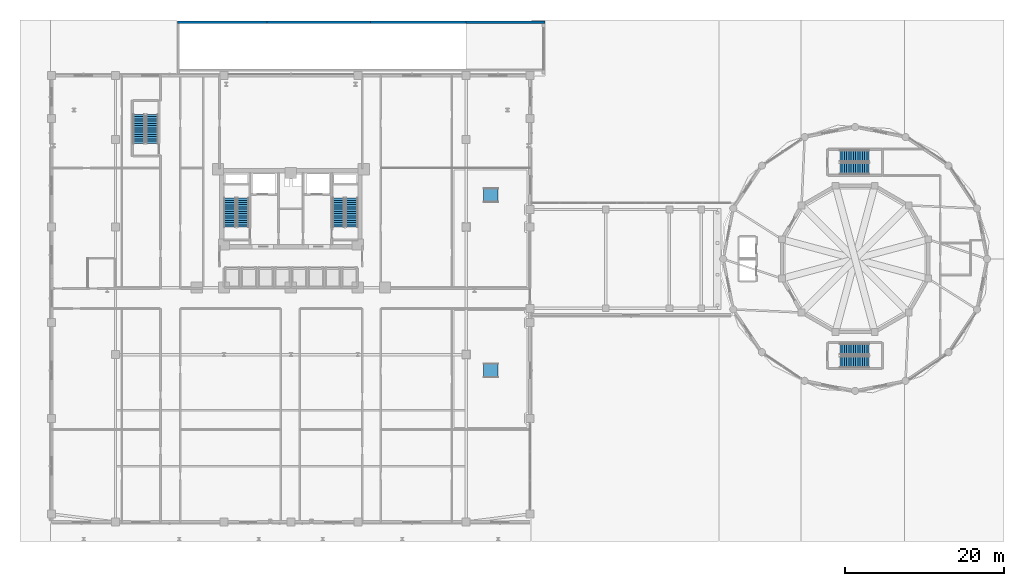
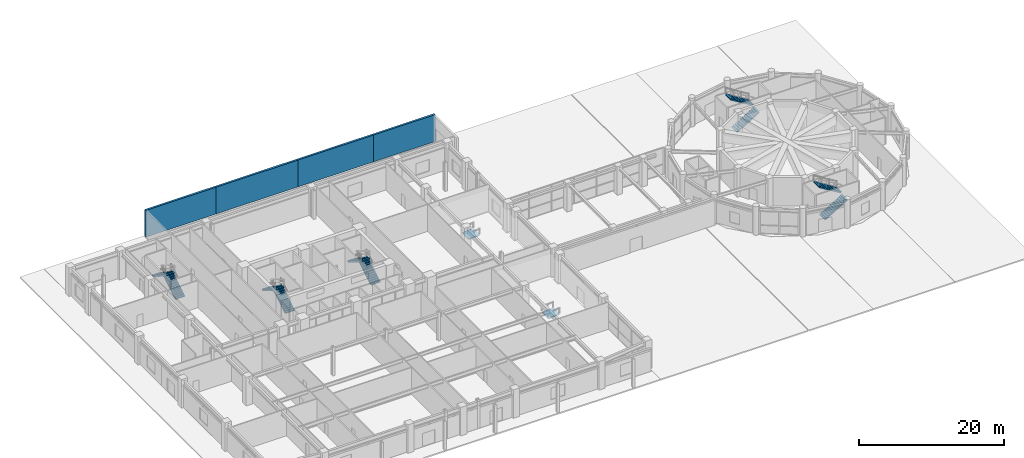
# One storey, part 29 of 40: 10 stair flights, 4 walls, 2 ramp flights, 7 elements without a shape of their own.
"""IFC4 building model written with IfcOpenShell, lengths in metres."""

from ifc_helpers import new_model, si_unit, derived_unit, direction, frame, frame_2d, origin, place, context, subcontext, project, spatial, polyline, rectangle, outline, extrude, material, layer, layer_set, type_object, element, aggregate, save


model = new_model("IFC4")

# Units and contexts
model_context = context("Model", 3, precision=1e-05, world=origin(), true_north=direction((0.0, 1.0)))
body_context = subcontext(model_context, "Body", "Model", "MODEL_VIEW")
ifc_project = project(units=[si_unit("LENGTHUNIT", "METRE"), si_unit("AREAUNIT", "SQUARE_METRE"), si_unit("VOLUMEUNIT", "CUBIC_METRE"), si_unit("PLANEANGLEUNIT", "RADIAN"), si_unit("MASSUNIT", "GRAM", prefix="KILO"), derived_unit("THERMALTRANSMITTANCEUNIT", [(si_unit("POWERUNIT", "WATT"), 1), (si_unit("LENGTHUNIT", "METRE"), -2), (si_unit("THERMODYNAMICTEMPERATUREUNIT", "KELVIN"), -1)])], contexts=[model_context])

# Site, building, storey
site_placement = place(None, origin())
site = spatial("IfcSite", under=ifc_project, at=site_placement, CompositionType="ELEMENT")
building_placement = place(site_placement, origin())
building = spatial("IfcBuilding", under=site, at=building_placement, Name="Korsvarv Bourse and Concert Hall", CompositionType="ELEMENT")
storey_placement = place(building_placement, origin())
storey = spatial("IfcBuildingStorey", under=building, at=storey_placement, Name="L00", CompositionType="ELEMENT", Elevation=0.0)

# Walls
ifc_material_1 = material(Name="Precast concrete C45/55 with granite and terracotta", Category="concrete")
ifc_layer = layer(ifc_material_1, 0.320068359375)
ifc_layer_set = layer_set([ifc_layer], Name="Precast concrete C45/55 with granite and terracotta")
wall_type = type_object("IfcWallType", Name="WL-EXT-POD", PredefinedType="SOLIDWALL", material=ifc_layer_set)
wall_1_placement = place(storey_placement, frame((21.800048828125, 65.699951171875, 0.0), z_axis=(0.0, 0.0, 1.0), x_axis=(1.0, 0.0, 0.0)))
element("IfcWall", 1, at=wall_1_placement, inside=storey, type_object=wall_type, Name="L00 terracotta exterior wall EW-L00-RMPN1", PredefinedType="SOLIDWALL", context=body_context, shape_type="SweptSolid", body=[
    extrude(rectangle(XDim=11.199951171875, YDim=0.320068359375, at=frame_2d((5.60009765625, 0.0))), origin(), (0.0, 0.0, 1.0), 4.52001953125),
])
wall_2_placement = place(storey_placement, frame((33.0, 65.699951171875, 0.0), z_axis=(0.0, 0.0, 1.0), x_axis=(1.0, 0.0, 0.0)))
element("IfcWall", 2, at=wall_2_placement, inside=storey, type_object=wall_type, Name="L00 terracotta exterior wall EW-L00-RMPN2", PredefinedType="SOLIDWALL", context=body_context, shape_type="SweptSolid", body=[
    extrude(rectangle(XDim=13.0, YDim=0.320068359375, at=frame_2d((6.5, 0.0))), origin(), (0.0, 0.0, 1.0), 4.52001953125),
])
wall_3_placement = place(storey_placement, frame((46.0, 65.699951171875, 0.0), z_axis=(0.0, 0.0, 1.0), x_axis=(1.0, 0.0, 0.0)))
element("IfcWall", 3, at=wall_3_placement, inside=storey, type_object=wall_type, Name="L00 terracotta exterior wall EW-L00-RMPN3", PredefinedType="SOLIDWALL", context=body_context, shape_type="SweptSolid", body=[
    extrude(rectangle(XDim=12.0, YDim=0.320068359375, at=frame_2d((6.0, 0.0))), origin(), (0.0, 0.0, 1.0), 4.52001953125),
])
wall_4_placement = place(storey_placement, frame((58.0, 65.699951171875, 0.0), z_axis=(0.0, 0.0, 1.0), x_axis=(1.0, 0.0, 0.0)))
element("IfcWall", 4, at=wall_4_placement, inside=storey, type_object=wall_type, Name="L00 terracotta exterior wall EW-L00-RMPN4", PredefinedType="SOLIDWALL", context=body_context, shape_type="SweptSolid", body=[
    extrude(rectangle(XDim=9.860107421875, YDim=0.320068359375, at=frame_2d((4.93017578125, 0.0))), origin(), (0.0, 0.0, 1.0), 4.52001953125),
])

# Stair, stair flights
ifc_material_2 = material(Name="Precast concrete C45/55", Category="concrete")
stair_type_1 = type_object("IfcStairType", Name="STR-TYPE-02", PredefinedType="HALF_TURN_STAIR", material=ifc_material_2)
stair_1_placement = place(storey_placement, origin())
stair_1 = element("IfcStair", 5, at=stair_1_placement, inside=storey, type_object=stair_type_1, Name="L00 Tower West Exit Stair ST-T1", PredefinedType="HALF_TURN_STAIR")
stair_flight_type_1 = type_object("IfcStairFlightType", Name="FLT-TYPE-02", PredefinedType="STRAIGHT", material=ifc_material_2)
stair_flight_1_placement = place(storey_placement, frame((30.010009765625, 40.0, 0.0), z_axis=(0.0, 0.0, 1.0), x_axis=(0.0, 1.0, 0.0)))
stair_flight_1 = element("IfcStairFlight", 6, at=stair_flight_1_placement, type_object=stair_flight_type_1, Name="ST-T1 flight 1", NumberOfRisers=14, NumberOfTreads=13, PredefinedType="STRAIGHT", RiserHeight=0.171428571, TreadLength=0.28, context=body_context, shape_type="SweptSolid", body=[
    extrude(outline(polyline([(0.0, 0.0), (0.0, 0.17138671875), (0.280029296875, 0.17138671875), (0.280029296875, 0.3427734375), (0.56005859375, 0.3427734375), (0.56005859375, 0.514404296875), (0.840087890625, 0.514404296875), (0.840087890625, 0.685791015625), (1.1201171875, 0.685791015625), (1.1201171875, 0.857177734375), (1.39990234375, 0.857177734375), (1.39990234375, 1.028564453125), (1.679931640625, 1.028564453125), (1.679931640625, 1.199951171875), (1.9599609375, 1.199951171875), (1.9599609375, 1.371337890625), (2.239990234375, 1.371337890625), (2.239990234375, 1.54296875), (2.52001953125, 1.54296875), (2.52001953125, 1.71435546875), (2.800048828125, 1.71435546875), (2.800048828125, 1.8857421875), (3.080078125, 1.8857421875), (3.080078125, 2.05712890625), (3.360107421875, 2.05712890625), (3.360107421875, 2.228515625), (3.639892578125, 2.228515625), (3.639892578125, 2.39990234375), (3.639892578125, 2.052734375), (0.287109375, 0.0), (0.0, 0.0)])), frame((0.0, 0.75, 0.0), z_axis=(0.0, -1.0, 0.0), x_axis=(1.0, 0.0, 0.0)), (0.0, 0.0, 1.0), 1.5),
])
stair_flight_2_placement = place(storey_placement, frame((28.35009765625, 43.639892578125, 2.39990234375), z_axis=(0.0, 0.0, 1.0), x_axis=(0.0, -1.0, 0.0)))
stair_flight_2 = element("IfcStairFlight", 7, at=stair_flight_2_placement, type_object=stair_flight_type_1, Name="ST-T1 flight 2", NumberOfRisers=14, NumberOfTreads=13, PredefinedType="STRAIGHT", RiserHeight=0.171428571, TreadLength=0.28, context=body_context, shape_type="SweptSolid", body=[
    extrude(outline(polyline([(0.0, 0.0), (0.0, 0.17138671875), (0.280029296875, 0.17138671875), (0.280029296875, 0.3427734375), (0.56005859375, 0.3427734375), (0.56005859375, 0.514404296875), (0.840087890625, 0.514404296875), (0.840087890625, 0.685791015625), (1.1201171875, 0.685791015625), (1.1201171875, 0.857177734375), (1.39990234375, 0.857177734375), (1.39990234375, 1.028564453125), (1.679931640625, 1.028564453125), (1.679931640625, 1.199951171875), (1.9599609375, 1.199951171875), (1.9599609375, 1.371337890625), (2.239990234375, 1.371337890625), (2.239990234375, 1.54296875), (2.52001953125, 1.54296875), (2.52001953125, 1.71435546875), (2.800048828125, 1.71435546875), (2.800048828125, 1.8857421875), (3.080078125, 1.8857421875), (3.080078125, 2.05712890625), (3.360107421875, 2.05712890625), (3.360107421875, 2.228515625), (3.639892578125, 2.228515625), (3.639892578125, 2.39990234375), (3.639892578125, 2.052734375), (0.287109375, 0.0), (0.0, 0.0)])), frame((0.0, 0.75, 0.0), z_axis=(0.0, -1.0, 0.0), x_axis=(1.0, 0.0, 0.0)), (0.0, 0.0, 1.0), 1.5),
])
aggregate(stair_1, [stair_flight_1, stair_flight_2])

stair_2_placement = place(storey_placement, origin())
stair_2 = element("IfcStair", 8, at=stair_2_placement, inside=storey, type_object=stair_type_1, Name="L00 Tower East Exit Stair ST-T2", PredefinedType="HALF_TURN_STAIR")
stair_flight_3_placement = place(storey_placement, frame((43.64990234375, 40.0, 0.0), z_axis=(0.0, 0.0, 1.0), x_axis=(0.0, 1.0, 0.0)))
stair_flight_3 = element("IfcStairFlight", 9, at=stair_flight_3_placement, type_object=stair_flight_type_1, Name="ST-T2 flight 1", NumberOfRisers=14, NumberOfTreads=13, PredefinedType="STRAIGHT", RiserHeight=0.171428571, TreadLength=0.28, context=body_context, shape_type="SweptSolid", body=[
    extrude(outline(polyline([(0.0, 0.0), (0.0, 0.17138671875), (0.280029296875, 0.17138671875), (0.280029296875, 0.3427734375), (0.56005859375, 0.3427734375), (0.56005859375, 0.514404296875), (0.840087890625, 0.514404296875), (0.840087890625, 0.685791015625), (1.1201171875, 0.685791015625), (1.1201171875, 0.857177734375), (1.39990234375, 0.857177734375), (1.39990234375, 1.028564453125), (1.679931640625, 1.028564453125), (1.679931640625, 1.199951171875), (1.9599609375, 1.199951171875), (1.9599609375, 1.371337890625), (2.239990234375, 1.371337890625), (2.239990234375, 1.54296875), (2.52001953125, 1.54296875), (2.52001953125, 1.71435546875), (2.800048828125, 1.71435546875), (2.800048828125, 1.8857421875), (3.080078125, 1.8857421875), (3.080078125, 2.05712890625), (3.360107421875, 2.05712890625), (3.360107421875, 2.228515625), (3.639892578125, 2.228515625), (3.639892578125, 2.39990234375), (3.639892578125, 2.052734375), (0.287109375, 0.0), (0.0, 0.0)])), frame((0.0, 0.75, 0.0), z_axis=(0.0, -1.0, 0.0), x_axis=(1.0, 0.0, 0.0)), (0.0, 0.0, 1.0), 1.5),
])
stair_flight_4_placement = place(storey_placement, frame((41.989990234375, 43.639892578125, 2.39990234375), z_axis=(0.0, 0.0, 1.0), x_axis=(0.0, -1.0, 0.0)))
stair_flight_4 = element("IfcStairFlight", 10, at=stair_flight_4_placement, type_object=stair_flight_type_1, Name="ST-T2 flight 2", NumberOfRisers=14, NumberOfTreads=13, PredefinedType="STRAIGHT", RiserHeight=0.171428571, TreadLength=0.28, context=body_context, shape_type="SweptSolid", body=[
    extrude(outline(polyline([(0.0, 0.0), (0.0, 0.17138671875), (0.280029296875, 0.17138671875), (0.280029296875, 0.3427734375), (0.56005859375, 0.3427734375), (0.56005859375, 0.514404296875), (0.840087890625, 0.514404296875), (0.840087890625, 0.685791015625), (1.1201171875, 0.685791015625), (1.1201171875, 0.857177734375), (1.39990234375, 0.857177734375), (1.39990234375, 1.028564453125), (1.679931640625, 1.028564453125), (1.679931640625, 1.199951171875), (1.9599609375, 1.199951171875), (1.9599609375, 1.371337890625), (2.239990234375, 1.371337890625), (2.239990234375, 1.54296875), (2.52001953125, 1.54296875), (2.52001953125, 1.71435546875), (2.800048828125, 1.71435546875), (2.800048828125, 1.8857421875), (3.080078125, 1.8857421875), (3.080078125, 2.05712890625), (3.360107421875, 2.05712890625), (3.360107421875, 2.228515625), (3.639892578125, 2.228515625), (3.639892578125, 2.39990234375), (3.639892578125, 2.052734375), (0.287109375, 0.0), (0.0, 0.0)])), frame((0.0, 0.75, 0.0), z_axis=(0.0, -1.0, 0.0), x_axis=(1.0, 0.0, 0.0)), (0.0, 0.0, 1.0), 1.5),
])
aggregate(stair_2, [stair_flight_3, stair_flight_4])

stair_3_placement = place(storey_placement, origin())
stair_3 = element("IfcStair", 11, at=stair_3_placement, inside=storey, type_object=stair_type_1, Name="L00 Exchange Podium Grand Stair ST-PD1", PredefinedType="HALF_TURN_STAIR")
stair_flight_5_placement = place(storey_placement, frame((18.610107421875, 50.5, 0.0), z_axis=(0.0, 0.0, 1.0), x_axis=(0.0, 1.0, 0.0)))
stair_flight_5 = element("IfcStairFlight", 12, at=stair_flight_5_placement, type_object=stair_flight_type_1, Name="ST-PD1 flight 1", NumberOfRisers=14, NumberOfTreads=13, PredefinedType="STRAIGHT", RiserHeight=0.171428571, TreadLength=0.28, context=body_context, shape_type="SweptSolid", body=[
    extrude(outline(polyline([(0.0, 0.0), (0.0, 0.17138671875), (0.280029296875, 0.17138671875), (0.280029296875, 0.3427734375), (0.56005859375, 0.3427734375), (0.56005859375, 0.514404296875), (0.840087890625, 0.514404296875), (0.840087890625, 0.685791015625), (1.1201171875, 0.685791015625), (1.1201171875, 0.857177734375), (1.39990234375, 0.857177734375), (1.39990234375, 1.028564453125), (1.679931640625, 1.028564453125), (1.679931640625, 1.199951171875), (1.9599609375, 1.199951171875), (1.9599609375, 1.371337890625), (2.239990234375, 1.371337890625), (2.239990234375, 1.54296875), (2.52001953125, 1.54296875), (2.52001953125, 1.71435546875), (2.800048828125, 1.71435546875), (2.800048828125, 1.8857421875), (3.080078125, 1.8857421875), (3.080078125, 2.05712890625), (3.360107421875, 2.05712890625), (3.360107421875, 2.228515625), (3.639892578125, 2.228515625), (3.639892578125, 2.39990234375), (3.639892578125, 2.052734375), (0.287109375, 0.0), (0.0, 0.0)])), frame((0.0, 0.75, 0.0), z_axis=(0.0, -1.0, 0.0), x_axis=(1.0, 0.0, 0.0)), (0.0, 0.0, 1.0), 1.5),
])
stair_flight_6_placement = place(storey_placement, frame((16.949951171875, 54.139892578125, 2.39990234375), z_axis=(0.0, 0.0, 1.0), x_axis=(0.0, -1.0, 0.0)))
stair_flight_6 = element("IfcStairFlight", 13, at=stair_flight_6_placement, type_object=stair_flight_type_1, Name="ST-PD1 flight 2", NumberOfRisers=14, NumberOfTreads=13, PredefinedType="STRAIGHT", RiserHeight=0.171428571, TreadLength=0.28, context=body_context, shape_type="SweptSolid", body=[
    extrude(outline(polyline([(0.0, 0.0), (0.0, 0.17138671875), (0.280029296875, 0.17138671875), (0.280029296875, 0.3427734375), (0.56005859375, 0.3427734375), (0.56005859375, 0.514404296875), (0.840087890625, 0.514404296875), (0.840087890625, 0.685791015625), (1.1201171875, 0.685791015625), (1.1201171875, 0.857177734375), (1.39990234375, 0.857177734375), (1.39990234375, 1.028564453125), (1.679931640625, 1.028564453125), (1.679931640625, 1.199951171875), (1.9599609375, 1.199951171875), (1.9599609375, 1.371337890625), (2.239990234375, 1.371337890625), (2.239990234375, 1.54296875), (2.52001953125, 1.54296875), (2.52001953125, 1.71435546875), (2.800048828125, 1.71435546875), (2.800048828125, 1.8857421875), (3.080078125, 1.8857421875), (3.080078125, 2.05712890625), (3.360107421875, 2.05712890625), (3.360107421875, 2.228515625), (3.639892578125, 2.228515625), (3.639892578125, 2.39990234375), (3.639892578125, 2.052734375), (0.287109375, 0.0), (0.0, 0.0)])), frame((0.0, 0.75, 0.0), z_axis=(0.0, -1.0, 0.0), x_axis=(1.0, 0.0, 0.0)), (0.0, 0.0, 1.0), 1.5),
])
aggregate(stair_3, [stair_flight_5, stair_flight_6])

stair_type_2 = type_object("IfcStairType", Name="STR-TYPE-07", PredefinedType="HALF_TURN_STAIR", material=ifc_material_2)
stair_4_placement = place(storey_placement, origin())
stair_4 = element("IfcStair", 14, at=stair_4_placement, inside=storey, type_object=stair_type_2, Name="L00 Concert Hall North Exit Stair ST-CH1", PredefinedType="HALF_TURN_STAIR")
stair_flight_type_2 = type_object("IfcStairFlightType", Name="FLT-TYPE-07", PredefinedType="STRAIGHT", material=ifc_material_2)
stair_flight_7_placement = place(storey_placement, frame((104.89990234375, 47.324951171875, 0.0), z_axis=(0.0, 0.0, 1.0), x_axis=(1.0, 0.0, 0.0)))
stair_flight_7 = element("IfcStairFlight", 15, at=stair_flight_7_placement, type_object=stair_flight_type_2, Name="ST-CH1 flight 1", NumberOfRisers=14, NumberOfTreads=13, PredefinedType="STRAIGHT", RiserHeight=0.171428571, TreadLength=0.28, context=body_context, shape_type="SweptSolid", body=[
    extrude(outline(polyline([(0.0, 0.0), (0.0, 0.17138671875), (0.280029296875, 0.17138671875), (0.280029296875, 0.3427734375), (0.56005859375, 0.3427734375), (0.56005859375, 0.514404296875), (0.840087890625, 0.514404296875), (0.840087890625, 0.685791015625), (1.1201171875, 0.685791015625), (1.1201171875, 0.857177734375), (1.39990234375, 0.857177734375), (1.39990234375, 1.028564453125), (1.679931640625, 1.028564453125), (1.679931640625, 1.199951171875), (1.9599609375, 1.199951171875), (1.9599609375, 1.371337890625), (2.239990234375, 1.371337890625), (2.239990234375, 1.54296875), (2.52001953125, 1.54296875), (2.52001953125, 1.71435546875), (2.800048828125, 1.71435546875), (2.800048828125, 1.8857421875), (3.080078125, 1.8857421875), (3.080078125, 2.05712890625), (3.360107421875, 2.05712890625), (3.360107421875, 2.228515625), (3.639892578125, 2.228515625), (3.639892578125, 2.39990234375), (3.639892578125, 2.052734375), (0.287109375, 0.0), (0.0, 0.0)])), frame((0.0, 0.72509765625, 0.0), z_axis=(0.0, -1.0, 0.0), x_axis=(1.0, 0.0, 0.0)), (0.0, 0.0, 1.0), 1.449951171875),
])
stair_flight_8_placement = place(storey_placement, frame((108.5400390625, 48.93505859375, 2.39990234375), z_axis=(0.0, 0.0, 1.0), x_axis=(-1.0, 0.0, 0.0)))
stair_flight_8 = element("IfcStairFlight", 16, at=stair_flight_8_placement, type_object=stair_flight_type_2, Name="ST-CH1 flight 2", NumberOfRisers=14, NumberOfTreads=13, PredefinedType="STRAIGHT", RiserHeight=0.171428571, TreadLength=0.28, context=body_context, shape_type="SweptSolid", body=[
    extrude(outline(polyline([(0.0, 0.0), (0.0, 0.17138671875), (0.280029296875, 0.17138671875), (0.280029296875, 0.3427734375), (0.56005859375, 0.3427734375), (0.56005859375, 0.514404296875), (0.840087890625, 0.514404296875), (0.840087890625, 0.685791015625), (1.1201171875, 0.685791015625), (1.1201171875, 0.857177734375), (1.39990234375, 0.857177734375), (1.39990234375, 1.028564453125), (1.679931640625, 1.028564453125), (1.679931640625, 1.199951171875), (1.9599609375, 1.199951171875), (1.9599609375, 1.371337890625), (2.239990234375, 1.371337890625), (2.239990234375, 1.54296875), (2.52001953125, 1.54296875), (2.52001953125, 1.71435546875), (2.800048828125, 1.71435546875), (2.800048828125, 1.8857421875), (3.080078125, 1.8857421875), (3.080078125, 2.05712890625), (3.360107421875, 2.05712890625), (3.360107421875, 2.228515625), (3.639892578125, 2.228515625), (3.639892578125, 2.39990234375), (3.639892578125, 2.052734375), (0.287109375, 0.0), (0.0, 0.0)])), frame((0.0, 0.72509765625, 0.0), z_axis=(0.0, -1.0, 0.0), x_axis=(1.0, 0.0, 0.0)), (0.0, 0.0, 1.0), 1.449951171875),
])
aggregate(stair_4, [stair_flight_7, stair_flight_8])

stair_5_placement = place(storey_placement, origin())
stair_5 = element("IfcStair", 17, at=stair_5_placement, inside=storey, type_object=stair_type_2, Name="L00 Concert Hall South Exit Stair ST-CH2", PredefinedType="HALF_TURN_STAIR")
stair_flight_9_placement = place(storey_placement, frame((104.89990234375, 23.06494140625, 0.0), z_axis=(0.0, 0.0, 1.0), x_axis=(1.0, 0.0, 0.0)))
stair_flight_9 = element("IfcStairFlight", 18, at=stair_flight_9_placement, type_object=stair_flight_type_2, Name="ST-CH2 flight 1", NumberOfRisers=14, NumberOfTreads=13, PredefinedType="STRAIGHT", RiserHeight=0.171428571, TreadLength=0.28, context=body_context, shape_type="SweptSolid", body=[
    extrude(outline(polyline([(0.0, 0.0), (0.0, 0.17138671875), (0.280029296875, 0.17138671875), (0.280029296875, 0.3427734375), (0.56005859375, 0.3427734375), (0.56005859375, 0.514404296875), (0.840087890625, 0.514404296875), (0.840087890625, 0.685791015625), (1.1201171875, 0.685791015625), (1.1201171875, 0.857177734375), (1.39990234375, 0.857177734375), (1.39990234375, 1.028564453125), (1.679931640625, 1.028564453125), (1.679931640625, 1.199951171875), (1.9599609375, 1.199951171875), (1.9599609375, 1.371337890625), (2.239990234375, 1.371337890625), (2.239990234375, 1.54296875), (2.52001953125, 1.54296875), (2.52001953125, 1.71435546875), (2.800048828125, 1.71435546875), (2.800048828125, 1.8857421875), (3.080078125, 1.8857421875), (3.080078125, 2.05712890625), (3.360107421875, 2.05712890625), (3.360107421875, 2.228515625), (3.639892578125, 2.228515625), (3.639892578125, 2.39990234375), (3.639892578125, 2.052734375), (0.287109375, 0.0), (0.0, 0.0)])), frame((0.0, 0.72509765625, 0.0), z_axis=(0.0, -1.0, 0.0), x_axis=(1.0, 0.0, 0.0)), (0.0, 0.0, 1.0), 1.449951171875),
])
stair_flight_10_placement = place(storey_placement, frame((108.5400390625, 24.675048828125, 2.39990234375), z_axis=(0.0, 0.0, 1.0), x_axis=(-1.0, 0.0, 0.0)))
stair_flight_10 = element("IfcStairFlight", 19, at=stair_flight_10_placement, type_object=stair_flight_type_2, Name="ST-CH2 flight 2", NumberOfRisers=14, NumberOfTreads=13, PredefinedType="STRAIGHT", RiserHeight=0.171428571, TreadLength=0.28, context=body_context, shape_type="SweptSolid", body=[
    extrude(outline(polyline([(0.0, 0.0), (0.0, 0.17138671875), (0.280029296875, 0.17138671875), (0.280029296875, 0.3427734375), (0.56005859375, 0.3427734375), (0.56005859375, 0.514404296875), (0.840087890625, 0.514404296875), (0.840087890625, 0.685791015625), (1.1201171875, 0.685791015625), (1.1201171875, 0.857177734375), (1.39990234375, 0.857177734375), (1.39990234375, 1.028564453125), (1.679931640625, 1.028564453125), (1.679931640625, 1.199951171875), (1.9599609375, 1.199951171875), (1.9599609375, 1.371337890625), (2.239990234375, 1.371337890625), (2.239990234375, 1.54296875), (2.52001953125, 1.54296875), (2.52001953125, 1.71435546875), (2.800048828125, 1.71435546875), (2.800048828125, 1.8857421875), (3.080078125, 1.8857421875), (3.080078125, 2.05712890625), (3.360107421875, 2.05712890625), (3.360107421875, 2.228515625), (3.639892578125, 2.228515625), (3.639892578125, 2.39990234375), (3.639892578125, 2.052734375), (0.287109375, 0.0), (0.0, 0.0)])), frame((0.0, 0.72509765625, 0.0), z_axis=(0.0, -1.0, 0.0), x_axis=(1.0, 0.0, 0.0)), (0.0, 0.0, 1.0), 1.449951171875),
])
aggregate(stair_5, [stair_flight_9, stair_flight_10])

# Ramp, ramp flight
ifc_material_3 = material(Name="Concrete C40/50 with non-slip granite finish", Category="concrete")
ramp_type = type_object("IfcRampType", Name="RMP-ACC-SYS", PredefinedType="STRAIGHT_RUN_RAMP", material=ifc_material_3)
ramp_1_placement = place(storey_placement, origin())
ramp_1 = element("IfcRamp", 20, at=ramp_1_placement, inside=storey, type_object=ramp_type, Name="L00 North Concourse Step-Free Threshold Ramp RM-A2", PredefinedType="STRAIGHT_RUN_RAMP")
ifc_material_4 = material(Name="Concrete C40/50", Category="concrete")
ramp_flight_type = type_object("IfcRampFlightType", Name="RMF-ACC-FLT", PredefinedType="STRAIGHT", material=ifc_material_4)
ramp_flight_1_placement = place(storey_placement, frame((60.199951171875, 44.0, -0.1201171875), z_axis=(0.0, 0.0, 1.0), x_axis=(1.0, 0.0, 0.0)))
ramp_flight_1 = element("IfcRampFlight", 21, at=ramp_flight_1_placement, type_object=ramp_flight_type, Name="L00 North Concourse Accessible Ramp Flight", PredefinedType="STRAIGHT", context=body_context, shape_type="SweptSolid", body=[
    extrude(outline(polyline([(0.0, 0.0), (0.0, -0.159912109375), (1.800048828125, -0.039794921875), (1.800048828125, 0.1201171875), (0.0, 0.0)])), frame((0.0, 0.89990234375, 0.0), z_axis=(0.0, -1.0, 0.0), x_axis=(1.0, 0.0, 0.0)), (0.0, 0.0, 1.0), 1.800048828125),
])
aggregate(ramp_1, [ramp_flight_1])

ramp_2_placement = place(storey_placement, origin())
ramp_2 = element("IfcRamp", 22, at=ramp_2_placement, inside=storey, type_object=ramp_type, Name="L00 Step-Free Concourse Threshold Ramp RM-A1", PredefinedType="STRAIGHT_RUN_RAMP")
ramp_flight_2_placement = place(storey_placement, frame((60.199951171875, 22.0, -0.1201171875), z_axis=(0.0, 0.0, 1.0), x_axis=(1.0, 0.0, 0.0)))
ramp_flight_2 = element("IfcRampFlight", 23, at=ramp_flight_2_placement, type_object=ramp_flight_type, Name="L00 Accessible Concourse Ramp Flight", PredefinedType="STRAIGHT", context=body_context, shape_type="SweptSolid", body=[
    extrude(outline(polyline([(0.0, 0.0), (0.0, -0.159912109375), (1.800048828125, -0.039794921875), (1.800048828125, 0.1201171875), (0.0, 0.0)])), frame((0.0, 0.89990234375, 0.0), z_axis=(0.0, -1.0, 0.0), x_axis=(1.0, 0.0, 0.0)), (0.0, 0.0, 1.0), 1.800048828125),
])
aggregate(ramp_2, [ramp_flight_2])

save(model, "model.ifc")
